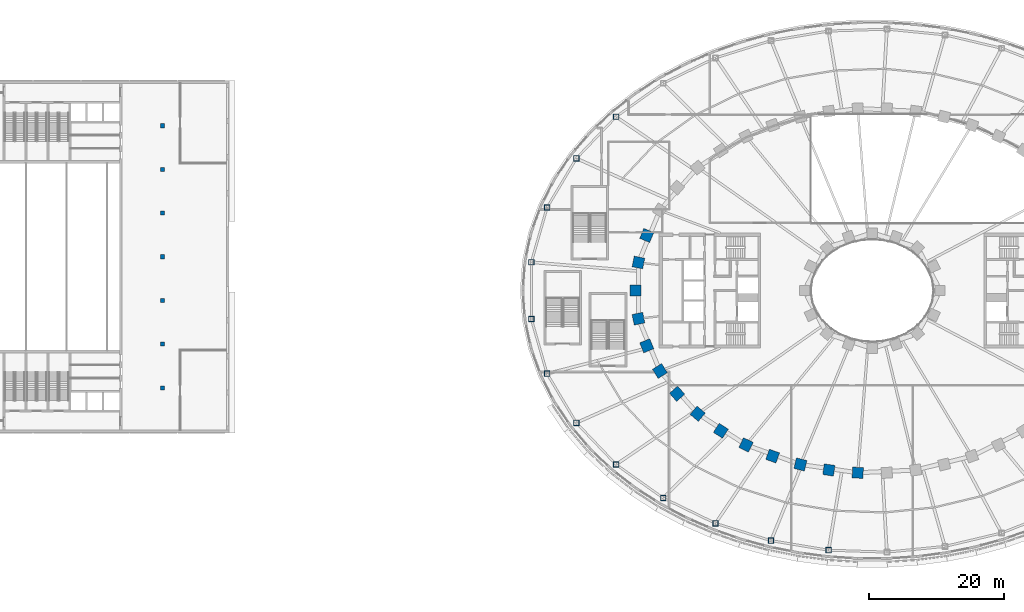
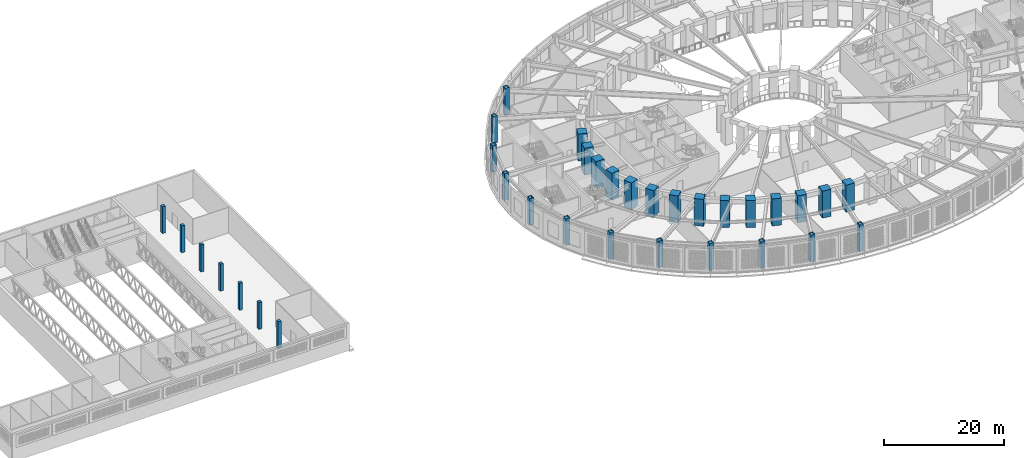
# One storey, part 1 of 69: 33 columns.
"""IFC4 building model written with IfcOpenShell, lengths in metres."""

from ifc_helpers import new_model, si_unit, direction, frame, origin, origin_2d, place, context, subcontext, project, spatial, rectangle, hollow_rectangle, extrude, material, material_profile, profile_set, type_object, element, save


model = new_model("IFC4")

# Units and contexts
model_context = context("Model", 3, precision=1e-05, world=origin(), true_north=direction((0.0, 1.0)))
body_context = subcontext(model_context, "Body", "Model", "MODEL_VIEW")
ifc_project = project(units=[si_unit("LENGTHUNIT", "METRE"), si_unit("AREAUNIT", "SQUARE_METRE"), si_unit("VOLUMEUNIT", "CUBIC_METRE"), si_unit("PLANEANGLEUNIT", "RADIAN"), si_unit("MASSUNIT", "GRAM", prefix="KILO")], contexts=[model_context])

# Site, building, storey
site_placement = place(None, origin())
site = spatial("IfcSite", under=ifc_project, at=site_placement, CompositionType="ELEMENT")
building_placement = place(site_placement, origin())
building = spatial("IfcBuilding", under=site, at=building_placement, Name="Noorbagh Ring Tower", CompositionType="ELEMENT")
storey_placement = place(building_placement, frame((0.0, 0.0, 19.5)))
storey = spatial("IfcBuildingStorey", under=building, at=storey_placement, Name="L03", CompositionType="ELEMENT", Elevation=19.5)

# Columns
ifc_material_1 = material(Name="Steel S355", Category="steel")
ifc_material_profile_1 = material_profile(ifc_material_1, hollow_rectangle(XDim=0.800048828125, YDim=0.800048828125, WallThickness=0.0400390625, at=origin_2d()), Name="BOX800x800x40")
ifc_profile_set_1 = profile_set([ifc_material_profile_1], Name="Steel S355")
column_type_1 = type_object("IfcColumnType", Name="GND-COL-BOX800x800x40", PredefinedType="COLUMN", material=ifc_profile_set_1)
for number, where, z_axis, x_axis, name in (
    (1, (-37.8330078125, 25.679931640625, 0.0), (0.0, 0.0, 1.0), (1.0, 0.0, 0.0), "L03/col/RP-14"),
    (2, (-43.6962890625, 19.52490234375, 0.0), (0.0, 0.0, 1.0), (1.0, 0.0, 0.0), "L03/col/RP-15"),
    (3, (-48.0224609375, 12.266845703125, 0.0), (0.0, 0.0, 1.0), (1.0, 0.0, 0.0), "L03/col/RP-16"),
    (4, (-50.34716796875, 4.191650390625, 0.0), (0.0, 0.0, 1.0), (1.0, 0.0, 0.0), "L03/col/RP-17"),
    (5, (-50.34716796875, -4.191650390625, 0.0), (0.0, 0.0, 1.0), (1.0, 0.0, 0.0), "L03/col/RP-18"),
    (6, (-48.0224609375, -12.266845703125, 0.0), (0.0, 0.0, 1.0), (1.0, 0.0, 0.0), "L03/col/RP-19"),
    (7, (-43.6962890625, -19.52490234375, 0.0), (0.0, 0.0, 1.0), (1.0, 0.0, 0.0), "L03/col/RP-20"),
    (8, (-37.8330078125, -25.679931640625, 0.0), (0.0, 0.0, 1.0), (1.0, 0.0, 0.0), "L03/col/RP-21"),
    (9, (-30.869384765625, -30.629150390625, 0.0), (0.0, 0.0, 1.0), (1.0, 0.0, 0.0), "L03/col/RP-22"),
    (10, (-23.152587890625, -34.36767578125, 0.0), (0.0, 0.0, 1.0), (1.0, 0.0, 0.0), "L03/col/RP-23"),
    (11, (-14.946044921875, -36.925048828125, 0.0), (0.0, 0.0, 1.0), (1.0, 0.0, 0.0), "L03/col/RP-24"),
    (12, (-6.4541015625, -38.33349609375, 0.0), (0.0, 0.0, 1.0), (1.0, 0.0, 0.0), "L03/col/RP-25"),
):
    element("IfcColumn", number, at=place(storey_placement, frame(where, z_axis=z_axis, x_axis=x_axis)), inside=storey, type_object=column_type_1, Name=name, PredefinedType="COLUMN", context=body_context, shape_type="SweptSolid", body=[
        extrude(hollow_rectangle(XDim=0.800048828125, YDim=0.800048828125, WallThickness=0.0400390625, at=origin_2d()), origin(), (0.0, 0.0, 1.0), 5.5),
    ])
ifc_material_2 = material(Name="Concrete C70/85", Category="concrete")
ifc_material_profile_2 = material_profile(ifc_material_2, rectangle(XDim=1.60009765625, YDim=1.60009765625, at=origin_2d()), Name="RC1600x1600")
ifc_profile_set_2 = profile_set([ifc_material_profile_2], Name="Concrete C70/85")
column_type_2 = type_object("IfcColumnType", Name="STR-COL-RC1600x1600-C70-85", PredefinedType="COLUMN", material=ifc_profile_set_2)
for number, where, z_axis, x_axis, name in (
    (13, (-33.30517578125, 8.1494140625, 0.0), (0.0, 0.0, 1.0), (-0.378989499959, -0.925400971969, 0.0), "L03/col/R1-22"),
    (14, (-34.52685546875, 4.150634765625, 0.0), (0.0, 0.0, 1.0), (-0.19723040178, -0.9803571638, 0.0), "L03/col/R1-23"),
    (15, (-34.944580078125, 0.0, 0.0), (0.0, 0.0, 1.0), (0.0, -1.0, 0.0), "L03/col/R1-24"),
    (16, (-34.52685546875, -4.150634765625, 0.0), (0.0, 0.0, 1.0), (0.19723040178, -0.9803571638, 0.0), "L03/col/R1-25"),
    (17, (-33.30517578125, -8.1494140625, 0.0), (0.0, 0.0, 1.0), (0.378989499959, -0.925400971969, 0.0), "L03/col/R1-26"),
    (18, (-31.364990234375, -11.87109375, 0.0), (0.0, 0.0, 1.0), (0.535190403059, -0.844731455833, 0.0), "L03/col/R1-27"),
    (19, (-28.81884765625, -15.23046875, 0.0), (0.0, 0.0, 1.0), (0.662635642662, -0.748941923699, 0.0), "L03/col/R1-28"),
    (20, (-25.78271484375, -18.180419921875, 0.0), (0.0, 0.0, 1.0), (0.763035199656, -0.646356932419, 0.0), "L03/col/R1-29"),
    (21, (-22.362060546875, -20.699951171875, 0.0), (0.0, 0.0, 1.0), (0.840247639643, -0.542202825586, 0.0), "L03/col/R1-30"),
    (22, (-18.646240234375, -22.785400390625, 0.0), (0.0, 0.0, 1.0), (0.898399080868, -0.439180021741, 0.0), "L03/col/R1-31"),
    (23, (-14.70947265625, -24.44091796875, 0.0), (0.0, 0.0, 1.0), (0.941024726094, -0.338337797003, 0.0), "L03/col/R1-32"),
    (24, (-10.61328125, -25.673583984375, 0.0), (0.0, 0.0, 1.0), (0.970829360981, -0.239771457553, 0.0), "L03/col/R1-33"),
    (25, (-6.4091796875, -26.49072265625, 0.0), (0.0, 0.0, 1.0), (0.989713114048, -0.143066249975, 0.0), "L03/col/R1-34"),
    (26, (-2.14306640625, -26.89794921875, 0.0), (0.0, 0.0, 1.0), (0.998868731212, -0.047552684538, 0.0), "L03/col/R1-35"),
):
    element("IfcColumn", number, at=place(storey_placement, frame(where, z_axis=z_axis, x_axis=x_axis)), inside=storey, type_object=column_type_2, Name=name, PredefinedType="COLUMN", context=body_context, shape_type="SweptSolid", body=[
        extrude(rectangle(XDim=1.60009765625, YDim=1.60009765625, at=origin_2d()), origin(), (0.0, 0.0, 1.0), 5.5),
    ])
ifc_material_3 = material(Name="Concrete C50/60", Category="concrete")
ifc_material_profile_3 = material_profile(ifc_material_3, rectangle(XDim=0.60009765625, YDim=0.60009765625, at=origin_2d()), Name="RC600x600")
ifc_profile_set_3 = profile_set([ifc_material_profile_3], Name="Concrete C50/60")
column_type_3 = type_object("IfcColumnType", Name="TH-COL-FOYER", PredefinedType="COLUMN", material=ifc_profile_set_3)
for number, where, z_axis, x_axis, name in (
    (27, (-104.800048828125, -14.35009765625, 0.0), (0.0, 0.0, 1.0), (1.0, 0.0, 0.0), "L03/th-col/foyer-1"),
    (28, (-104.800048828125, -7.89990234375, 0.0), (0.0, 0.0, 1.0), (1.0, 0.0, 0.0), "L03/th-col/foyer-2"),
    (29, (-104.800048828125, -1.449951171875, 0.0), (0.0, 0.0, 1.0), (1.0, 0.0, 0.0), "L03/th-col/foyer-3"),
    (30, (-104.800048828125, 5.0, 0.0), (0.0, 0.0, 1.0), (1.0, 0.0, 0.0), "L03/th-col/foyer-4"),
    (31, (-104.800048828125, 11.449951171875, 0.0), (0.0, 0.0, 1.0), (1.0, 0.0, 0.0), "L03/th-col/foyer-5"),
    (32, (-104.800048828125, 17.89990234375, 0.0), (0.0, 0.0, 1.0), (1.0, 0.0, 0.0), "L03/th-col/foyer-6"),
    (33, (-104.800048828125, 24.35009765625, 0.0), (0.0, 0.0, 1.0), (1.0, 0.0, 0.0), "L03/th-col/foyer-7"),
):
    element("IfcColumn", number, at=place(storey_placement, frame(where, z_axis=z_axis, x_axis=x_axis)), inside=storey, type_object=column_type_3, Name=name, PredefinedType="COLUMN", context=body_context, shape_type="SweptSolid", body=[
        extrude(rectangle(XDim=0.60009765625, YDim=0.60009765625, at=origin_2d()), origin(), (0.0, 0.0, 1.0), 5.5),
    ])

save(model, "model.ifc")
